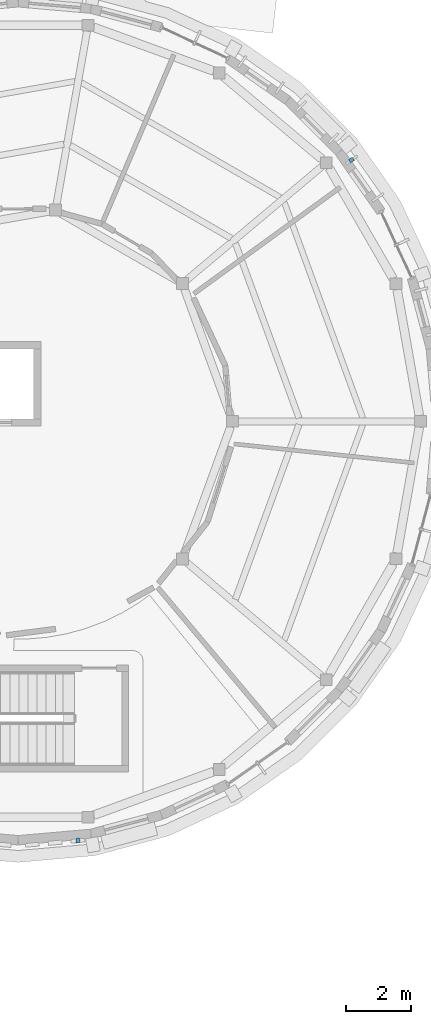
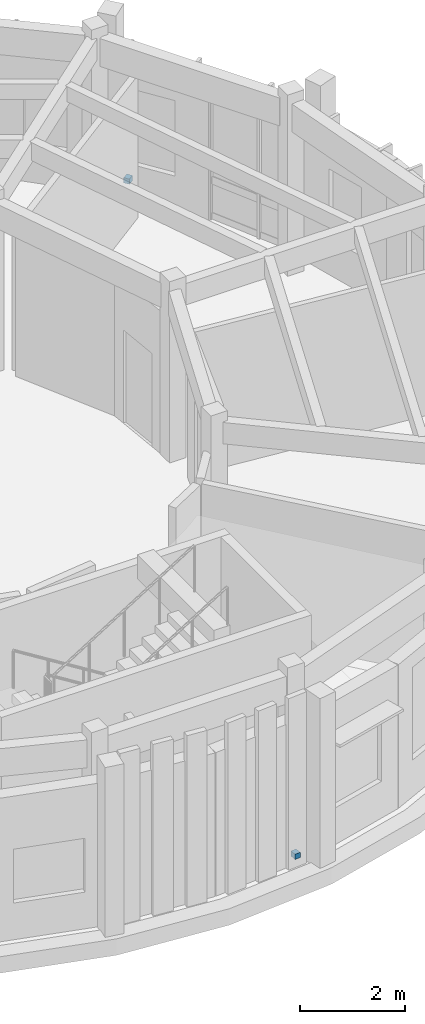
# One storey, part 46 of 58: 2 discrete accessories.
"""IFC4 building model written with IfcOpenShell, lengths in metres."""

from ifc_helpers import new_model, si_unit, direction, frame, origin, origin_2d, place, context, subcontext, project, spatial, rectangle, extrude, material, type_object, element, save


model = new_model("IFC4")

# Units and contexts
model_context = context("Model", 3, precision=1e-05, world=origin(), true_north=direction((0.0, 1.0)))
body_context = subcontext(model_context, "Body", "Model", "MODEL_VIEW")
ifc_project = project(units=[si_unit("LENGTHUNIT", "METRE"), si_unit("AREAUNIT", "SQUARE_METRE"), si_unit("VOLUMEUNIT", "CUBIC_METRE"), si_unit("PLANEANGLEUNIT", "RADIAN"), si_unit("MASSUNIT", "GRAM", prefix="KILO")], contexts=[model_context])

# Site, building, storey
site_placement = place(None, origin())
site = spatial("IfcSite", under=ifc_project, at=site_placement, CompositionType="ELEMENT")
building_placement = place(site_placement, origin())
building = spatial("IfcBuilding", under=site, at=building_placement, Name="Aldenvaro Health Centre", CompositionType="ELEMENT")
storey_placement = place(building_placement, frame((0.0, 0.0, 8.75)))
storey = spatial("IfcBuildingStorey", under=building, at=storey_placement, Name="L02", CompositionType="ELEMENT", Elevation=8.75)

# Discrete accessories
ifc_material = material(Name="Stainless Steel AISI 316", Category="steel")
discrete_accessory_type = type_object("IfcDiscreteAccessoryType", Name="ACC-BRK-01", PredefinedType="BRACKET", material=ifc_material)
for number, where, z_axis, x_axis, name in (
    (1, (20.3359375, 5.594970703125, 0.18994140625), (0.0, 0.0, 1.0), (-0.996193717495, -0.087166950289, 0.0), "D5 L02 stainless fin bracket 9"),
    (2, (28.758056640625, 26.54296875, 0.18994140625), (0.0, 0.0, 1.0), (0.573641397746, -0.819106553991, 0.0), "D5 L02 stainless fin bracket 33"),
):
    element("IfcDiscreteAccessory", number, at=place(storey_placement, frame(where, z_axis=z_axis, x_axis=x_axis)), inside=storey, type_object=discrete_accessory_type, Name=name, PredefinedType="BRACKET", context=body_context, shape_type="SweptSolid", body=[
        extrude(rectangle(XDim=0.1201171875, YDim=0.139892578125, at=origin_2d()), origin(), (0.0, 0.0, 1.0), 0.1201171875),
    ])

save(model, "model.ifc")
